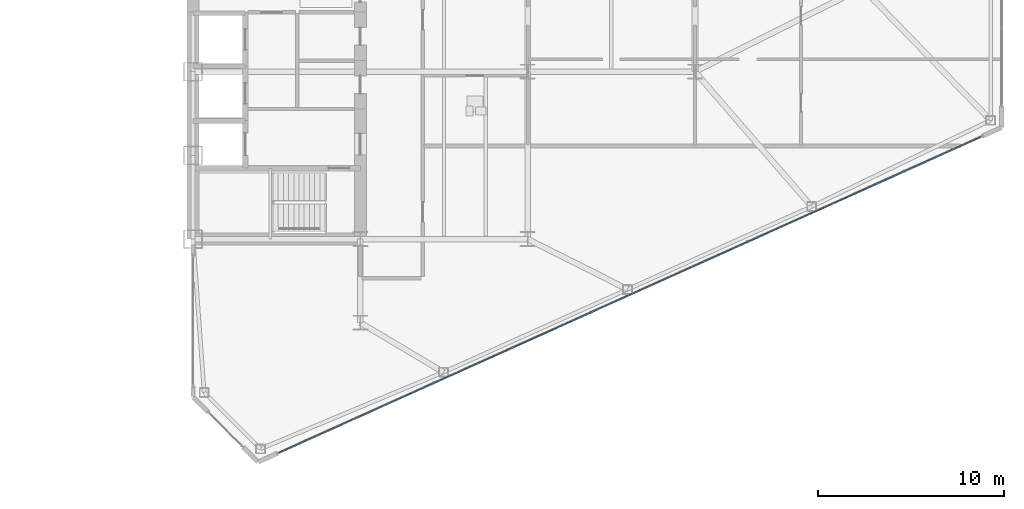
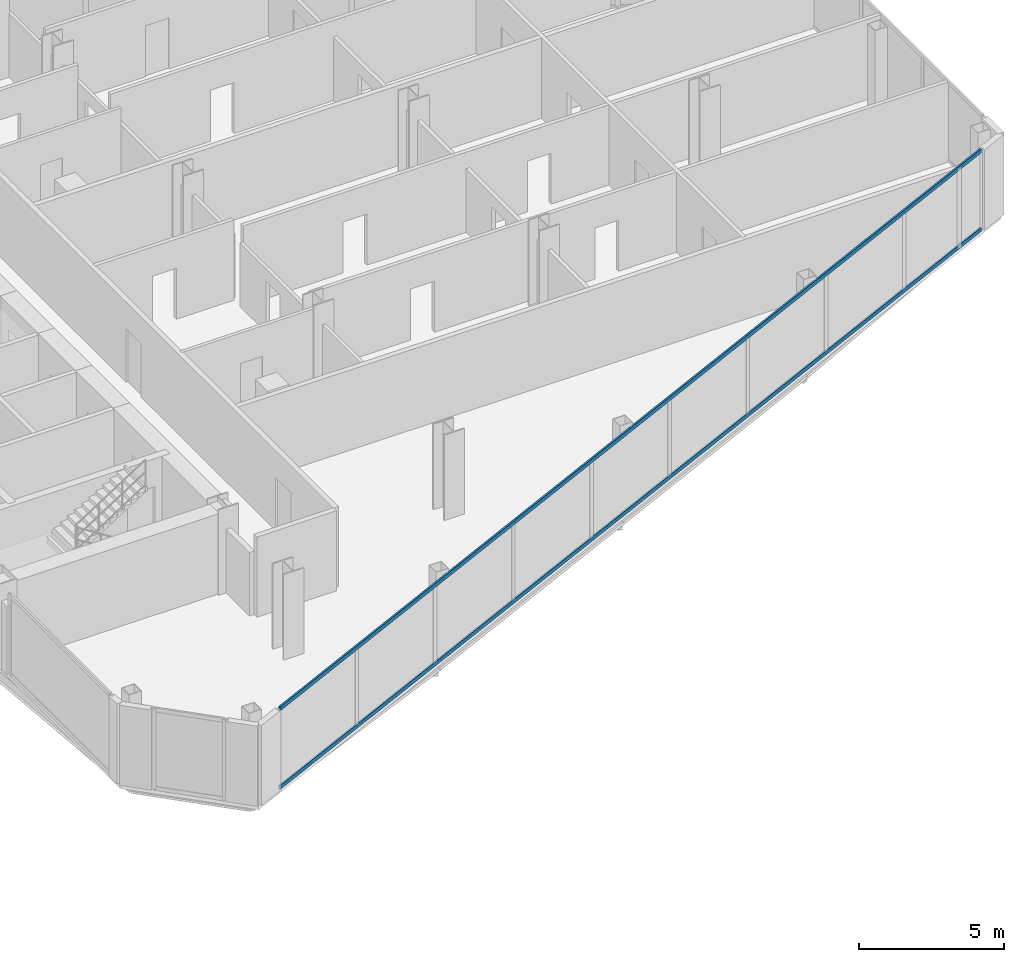
# One storey, part 11 of 27: 2 members, 1 element without a shape of its own.
"""IFC4 building model written with IfcOpenShell, lengths in metres."""

from ifc_helpers import new_model, si_unit, direction, frame, origin, origin_2d, place, context, subcontext, project, spatial, rectangle, extrude, source, transform, mapped, material, layer, layer_set, material_profile, profile_set, type_object, type_shapes, element, aggregate, save


model = new_model("IFC4")

# Units and contexts
model_context = context("Model", 3, precision=1e-05, world=origin(), true_north=direction((0.0, 1.0)))
body_context = subcontext(model_context, "Body", "Model", "MODEL_VIEW")
ifc_project = project(units=[si_unit("LENGTHUNIT", "METRE"), si_unit("AREAUNIT", "SQUARE_METRE"), si_unit("VOLUMEUNIT", "CUBIC_METRE"), si_unit("PLANEANGLEUNIT", "RADIAN"), si_unit("MASSUNIT", "GRAM", prefix="KILO")], contexts=[model_context])

# Site, building, storey
site_placement = place(None, origin())
site = spatial("IfcSite", under=ifc_project, at=site_placement, CompositionType="ELEMENT")
building_placement = place(site_placement, origin())
building = spatial("IfcBuilding", under=site, at=building_placement, Name="Seokmaru Belvedere", CompositionType="ELEMENT")
storey_placement = place(building_placement, frame((0.0, 0.0, 72.89990234375)))
storey = spatial("IfcBuildingStorey", under=building, at=storey_placement, Name="L19", CompositionType="ELEMENT", Elevation=72.89990234375)

# Curtain wall, members
ifc_material_1 = material(Name="Bronze Triple Insulating Glass", Category="glass")
ifc_layer = layer(ifc_material_1, 0.195068359375)
ifc_layer_set = layer_set([ifc_layer], Name="Bronze Triple Insulating Glass")
curtain_wall_type = type_object("IfcCurtainWallType", Name="Lower-Mid Tapered Curtain Wall System CW-3", PredefinedType="NOTDEFINED", material=ifc_layer_set)
curtain_wall_placement = place(storey_placement, origin())
curtain_wall = element("IfcCurtainWall", 1, at=curtain_wall_placement, inside=storey, type_object=curtain_wall_type, Name="L19 Curtain Wall EF1", PredefinedType="NOTDEFINED")
ifc_material_2 = material(Name="Anodised Bronze Aluminium", Category="aluminium")
ifc_material_profile = material_profile(ifc_material_2, rectangle(XDim=0.070068359375, YDim=0.1650390625, at=origin_2d()), Name="CW-T-70x165")
ifc_profile_set = profile_set([ifc_material_profile], Name="Anodised Bronze Aluminium")
member_type = type_object("IfcMemberType", Name="Bronze Unitised Transom 70x165", PredefinedType="USERDEFINED", material=ifc_profile_set)
shared_shape = source(origin(), body_context, "Body", "SweptSolid", [
    extrude(rectangle(XDim=0.070068359375, YDim=0.1650390625, at=origin_2d()), origin(), (0.0, 0.0, 1.0), 41.423583984375),
])
type_shapes(member_type, [shared_shape])
member_1_placement = place(storey_placement, frame((32.112548828125, -24.99951171875, 0.03515625), z_axis=(0.911918637916, 0.410371048956, 0.0), x_axis=(-0.410371048956, 0.911918637916, 0.0)))
member_1 = element("IfcMember", 2, at=member_1_placement, type_object=member_type, Name="CW:L19:EF1 Continuous Transom 1", ObjectType="TRANSOM", PredefinedType="USERDEFINED", context=body_context, shape_type="MappedRepresentation", body=[
    mapped(shared_shape, transform((0.0, 0.0, 0.0), scale=1.0)),
])
member_2_placement = place(storey_placement, frame((32.112548828125, -24.99951171875, 3.34521484375), z_axis=(0.911918637916, 0.410371048956, 0.0), x_axis=(-0.410371048956, 0.911918637916, 0.0)))
member_2 = element("IfcMember", 3, at=member_2_placement, type_object=member_type, Name="CW:L19:EF1 Continuous Transom 2", ObjectType="TRANSOM", PredefinedType="USERDEFINED", context=body_context, shape_type="MappedRepresentation", body=[
    mapped(shared_shape, transform((0.0, 0.0, 0.0), scale=1.0)),
])
aggregate(curtain_wall, [member_1, member_2])

save(model, "model.ifc")
